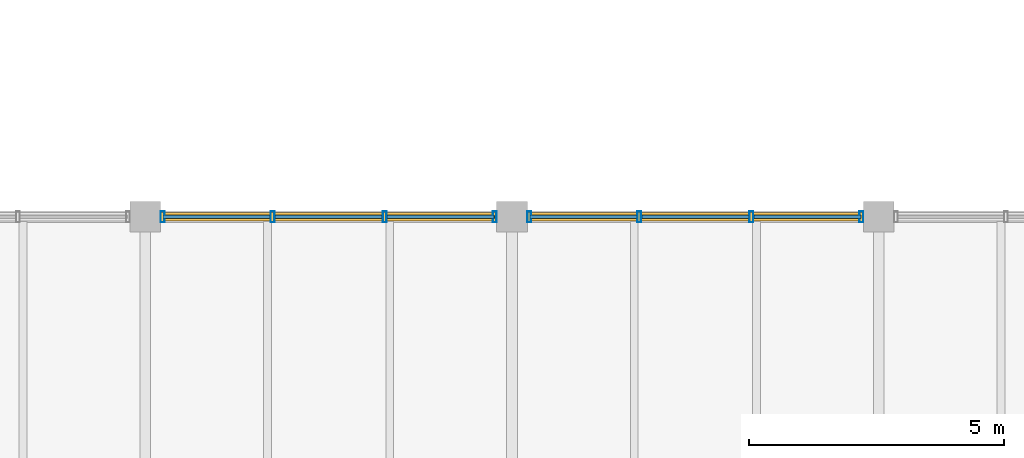
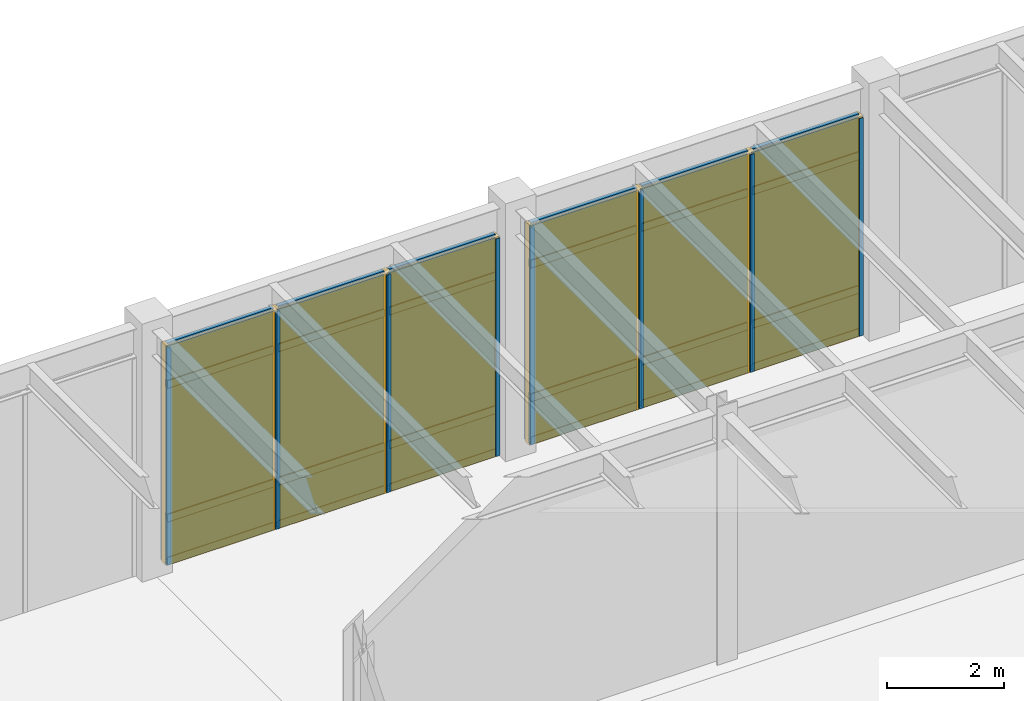
# One storey, part 59 of 97: 32 members, 12 plates, 2 curtain walls.
"""IFC4 building model written with IfcOpenShell, lengths in metres."""

from ifc_helpers import new_model, si_unit, direction, frame, origin, origin_2d, place, context, subcontext, project, spatial, rectangle, hollow_rectangle, extrude, material, layer, layer_set, material_profile, profile_set, type_object, element, aggregate, save


model = new_model("IFC4")

# Units and contexts
model_context = context("Model", 3, precision=1e-05, world=origin(), true_north=direction((0.0, 1.0)))
body_context = subcontext(model_context, "Body", "Model", "MODEL_VIEW")
ifc_project = project(units=[si_unit("LENGTHUNIT", "METRE"), si_unit("AREAUNIT", "SQUARE_METRE"), si_unit("VOLUMEUNIT", "CUBIC_METRE"), si_unit("PLANEANGLEUNIT", "RADIAN"), si_unit("MASSUNIT", "GRAM", prefix="KILO")], contexts=[model_context])

# Member
ifc_material_1 = material(Name="Anodized Aluminium 6063-T6", Category="aluminium")
ifc_material_profile_1 = material_profile(ifc_material_1, hollow_rectangle(XDim=0.074951171875, YDim=0.219970703125, WallThickness=0.0048828125, at=origin_2d()), Name="ALU 75x220x5")
ifc_profile_set_1 = profile_set([ifc_material_profile_1], Name="Anodized Aluminium 6063-T6")
member_type_1 = type_object("IfcMemberType", Name="CWM-75X180", PredefinedType="MULLION", material=ifc_profile_set_1)
site_placement = place(None, origin())
building_placement = place(site_placement, origin())
storey_placement = place(building_placement, origin())
member_1_placement = place(storey_placement, frame((79.5400390625, 57.60009765625, 0.02001953125), z_axis=(0.0, 0.0, 1.0), x_axis=(1.0, 0.0, 0.0)))
member_1 = element("IfcMember", 1, at=member_1_placement, type_object=member_type_1, Name="Curtain wall mullion CW-L01-11-07-N-00", PredefinedType="MULLION", context=body_context, shape_type="SweptSolid", body=[
    extrude(hollow_rectangle(XDim=0.074951171875, YDim=0.219970703125, WallThickness=0.0048828125, at=origin_2d()), origin(), (0.0, 0.0, 1.0), 4.557861328125),
])

member_2_placement = place(storey_placement, frame((81.699951171875, 57.60009765625, 0.02001953125), z_axis=(0.0, 0.0, 1.0), x_axis=(1.0, 0.0, 0.0)))
member_2 = element("IfcMember", 2, at=member_2_placement, type_object=member_type_1, Name="Curtain wall mullion CW-L01-11-07-N-01", PredefinedType="MULLION", context=body_context, shape_type="SweptSolid", body=[
    extrude(hollow_rectangle(XDim=0.074951171875, YDim=0.219970703125, WallThickness=0.0048828125, at=origin_2d()), origin(), (0.0, 0.0, 1.0), 4.557861328125),
])

member_3_placement = place(storey_placement, frame((83.89990234375, 57.60009765625, 0.02001953125), z_axis=(0.0, 0.0, 1.0), x_axis=(1.0, 0.0, 0.0)))
member_3 = element("IfcMember", 3, at=member_3_placement, type_object=member_type_1, Name="Curtain wall mullion CW-L01-11-07-N-02", PredefinedType="MULLION", context=body_context, shape_type="SweptSolid", body=[
    extrude(hollow_rectangle(XDim=0.074951171875, YDim=0.219970703125, WallThickness=0.0048828125, at=origin_2d()), origin(), (0.0, 0.0, 1.0), 4.557861328125),
])

member_4_placement = place(storey_placement, frame((86.06005859375, 57.60009765625, 0.02001953125), z_axis=(0.0, 0.0, 1.0), x_axis=(1.0, 0.0, 0.0)))
member_4 = element("IfcMember", 4, at=member_4_placement, type_object=member_type_1, Name="Curtain wall mullion CW-L01-11-07-N-03", PredefinedType="MULLION", context=body_context, shape_type="SweptSolid", body=[
    extrude(hollow_rectangle(XDim=0.074951171875, YDim=0.219970703125, WallThickness=0.0048828125, at=origin_2d()), origin(), (0.0, 0.0, 1.0), 4.557861328125),
])

member_5_placement = place(storey_placement, frame((86.739990234375, 57.60009765625, 0.02001953125), z_axis=(0.0, 0.0, 1.0), x_axis=(1.0, 0.0, 0.0)))
member_5 = element("IfcMember", 5, at=member_5_placement, type_object=member_type_1, Name="Curtain wall mullion CW-L01-12-07-N-00", PredefinedType="MULLION", context=body_context, shape_type="SweptSolid", body=[
    extrude(hollow_rectangle(XDim=0.074951171875, YDim=0.219970703125, WallThickness=0.0048828125, at=origin_2d()), origin(), (0.0, 0.0, 1.0), 4.557861328125),
])

member_6_placement = place(storey_placement, frame((88.89990234375, 57.60009765625, 0.02001953125), z_axis=(0.0, 0.0, 1.0), x_axis=(1.0, 0.0, 0.0)))
member_6 = element("IfcMember", 6, at=member_6_placement, type_object=member_type_1, Name="Curtain wall mullion CW-L01-12-07-N-01", PredefinedType="MULLION", context=body_context, shape_type="SweptSolid", body=[
    extrude(hollow_rectangle(XDim=0.074951171875, YDim=0.219970703125, WallThickness=0.0048828125, at=origin_2d()), origin(), (0.0, 0.0, 1.0), 4.557861328125),
])

member_7_placement = place(storey_placement, frame((91.10009765625, 57.60009765625, 0.02001953125), z_axis=(0.0, 0.0, 1.0), x_axis=(1.0, 0.0, 0.0)))
member_7 = element("IfcMember", 7, at=member_7_placement, type_object=member_type_1, Name="Curtain wall mullion CW-L01-12-07-N-02", PredefinedType="MULLION", context=body_context, shape_type="SweptSolid", body=[
    extrude(hollow_rectangle(XDim=0.074951171875, YDim=0.219970703125, WallThickness=0.0048828125, at=origin_2d()), origin(), (0.0, 0.0, 1.0), 4.557861328125),
])

member_8_placement = place(storey_placement, frame((93.260009765625, 57.60009765625, 0.02001953125), z_axis=(0.0, 0.0, 1.0), x_axis=(1.0, 0.0, 0.0)))
member_8 = element("IfcMember", 8, at=member_8_placement, type_object=member_type_1, Name="Curtain wall mullion CW-L01-12-07-N-03", PredefinedType="MULLION", context=body_context, shape_type="SweptSolid", body=[
    extrude(hollow_rectangle(XDim=0.074951171875, YDim=0.219970703125, WallThickness=0.0048828125, at=origin_2d()), origin(), (0.0, 0.0, 1.0), 4.557861328125),
])

ifc_material_profile_2 = material_profile(ifc_material_1, hollow_rectangle(XDim=0.074951171875, YDim=0.159912109375, WallThickness=0.00390625, at=origin_2d()), Name="ALU 75x160x4")
ifc_profile_set_2 = profile_set([ifc_material_profile_2], Name="Anodized Aluminium 6063-T6")
member_type_2 = type_object("IfcMemberType", Name="CWT-75X150", PredefinedType="USERDEFINED", material=ifc_profile_set_2)
member_9_placement = place(storey_placement, frame((79.550048828125, 57.60009765625, 0.050048828125), z_axis=(1.0, 0.0, 0.0), x_axis=(0.0, 1.0, 0.0)))
member_9 = element("IfcMember", 9, at=member_9_placement, type_object=member_type_2, Name="Curtain wall transom CW-L01-11-07-N-1.01", ObjectType="TRANSOM", PredefinedType="USERDEFINED", context=body_context, shape_type="SweptSolid", body=[
    extrude(hollow_rectangle(XDim=0.074951171875, YDim=0.159912109375, WallThickness=0.00390625, at=origin_2d()), origin(), (0.0, 0.0, 1.0), 2.099853515625),
])

member_10_placement = place(storey_placement, frame((81.75, 57.60009765625, 0.050048828125), z_axis=(1.0, 0.0, 0.0), x_axis=(0.0, 1.0, 0.0)))
member_10 = element("IfcMember", 10, at=member_10_placement, type_object=member_type_2, Name="Curtain wall transom CW-L01-11-07-N-1.02", ObjectType="TRANSOM", PredefinedType="USERDEFINED", context=body_context, shape_type="SweptSolid", body=[
    extrude(hollow_rectangle(XDim=0.074951171875, YDim=0.159912109375, WallThickness=0.00390625, at=origin_2d()), origin(), (0.0, 0.0, 1.0), 2.10009765625),
])

member_11_placement = place(storey_placement, frame((83.949951171875, 57.60009765625, 0.050048828125), z_axis=(1.0, 0.0, 0.0), x_axis=(0.0, 1.0, 0.0)))
member_11 = element("IfcMember", 11, at=member_11_placement, type_object=member_type_2, Name="Curtain wall transom CW-L01-11-07-N-1.03", ObjectType="TRANSOM", PredefinedType="USERDEFINED", context=body_context, shape_type="SweptSolid", body=[
    extrude(hollow_rectangle(XDim=0.074951171875, YDim=0.159912109375, WallThickness=0.00390625, at=origin_2d()), origin(), (0.0, 0.0, 1.0), 2.10009765625),
])

member_12_placement = place(storey_placement, frame((79.550048828125, 57.60009765625, 0.949951171875), z_axis=(1.0, 0.0, 0.0), x_axis=(0.0, 1.0, 0.0)))
member_12 = element("IfcMember", 12, at=member_12_placement, type_object=member_type_2, Name="Curtain wall transom CW-L01-11-07-N-2.01", ObjectType="TRANSOM", PredefinedType="USERDEFINED", context=body_context, shape_type="SweptSolid", body=[
    extrude(hollow_rectangle(XDim=0.074951171875, YDim=0.159912109375, WallThickness=0.00390625, at=origin_2d()), origin(), (0.0, 0.0, 1.0), 2.099853515625),
])

member_13_placement = place(storey_placement, frame((81.75, 57.60009765625, 0.949951171875), z_axis=(1.0, 0.0, 0.0), x_axis=(0.0, 1.0, 0.0)))
member_13 = element("IfcMember", 13, at=member_13_placement, type_object=member_type_2, Name="Curtain wall transom CW-L01-11-07-N-2.02", ObjectType="TRANSOM", PredefinedType="USERDEFINED", context=body_context, shape_type="SweptSolid", body=[
    extrude(hollow_rectangle(XDim=0.074951171875, YDim=0.159912109375, WallThickness=0.00390625, at=origin_2d()), origin(), (0.0, 0.0, 1.0), 2.10009765625),
])

member_14_placement = place(storey_placement, frame((83.949951171875, 57.60009765625, 0.949951171875), z_axis=(1.0, 0.0, 0.0), x_axis=(0.0, 1.0, 0.0)))
member_14 = element("IfcMember", 14, at=member_14_placement, type_object=member_type_2, Name="Curtain wall transom CW-L01-11-07-N-2.03", ObjectType="TRANSOM", PredefinedType="USERDEFINED", context=body_context, shape_type="SweptSolid", body=[
    extrude(hollow_rectangle(XDim=0.074951171875, YDim=0.159912109375, WallThickness=0.00390625, at=origin_2d()), origin(), (0.0, 0.0, 1.0), 2.10009765625),
])

member_15_placement = place(storey_placement, frame((79.550048828125, 57.60009765625, 3.748046875), z_axis=(1.0, 0.0, 0.0), x_axis=(0.0, 1.0, 0.0)))
member_15 = element("IfcMember", 15, at=member_15_placement, type_object=member_type_2, Name="Curtain wall transom CW-L01-11-07-N-3.01", ObjectType="TRANSOM", PredefinedType="USERDEFINED", context=body_context, shape_type="SweptSolid", body=[
    extrude(hollow_rectangle(XDim=0.074951171875, YDim=0.159912109375, WallThickness=0.00390625, at=origin_2d()), origin(), (0.0, 0.0, 1.0), 2.099853515625),
])

member_16_placement = place(storey_placement, frame((81.75, 57.60009765625, 3.748046875), z_axis=(1.0, 0.0, 0.0), x_axis=(0.0, 1.0, 0.0)))
member_16 = element("IfcMember", 16, at=member_16_placement, type_object=member_type_2, Name="Curtain wall transom CW-L01-11-07-N-3.02", ObjectType="TRANSOM", PredefinedType="USERDEFINED", context=body_context, shape_type="SweptSolid", body=[
    extrude(hollow_rectangle(XDim=0.074951171875, YDim=0.159912109375, WallThickness=0.00390625, at=origin_2d()), origin(), (0.0, 0.0, 1.0), 2.10009765625),
])

member_17_placement = place(storey_placement, frame((83.949951171875, 57.60009765625, 3.748046875), z_axis=(1.0, 0.0, 0.0), x_axis=(0.0, 1.0, 0.0)))
member_17 = element("IfcMember", 17, at=member_17_placement, type_object=member_type_2, Name="Curtain wall transom CW-L01-11-07-N-3.03", ObjectType="TRANSOM", PredefinedType="USERDEFINED", context=body_context, shape_type="SweptSolid", body=[
    extrude(hollow_rectangle(XDim=0.074951171875, YDim=0.159912109375, WallThickness=0.00390625, at=origin_2d()), origin(), (0.0, 0.0, 1.0), 2.10009765625),
])

member_18_placement = place(storey_placement, frame((79.550048828125, 57.60009765625, 4.548095703125), z_axis=(1.0, 0.0, 0.0), x_axis=(0.0, 1.0, 0.0)))
member_18 = element("IfcMember", 18, at=member_18_placement, type_object=member_type_2, Name="Curtain wall transom CW-L01-11-07-N-4.01", ObjectType="TRANSOM", PredefinedType="USERDEFINED", context=body_context, shape_type="SweptSolid", body=[
    extrude(hollow_rectangle(XDim=0.074951171875, YDim=0.159912109375, WallThickness=0.00390625, at=origin_2d()), origin(), (0.0, 0.0, 1.0), 2.099853515625),
])

member_19_placement = place(storey_placement, frame((81.75, 57.60009765625, 4.548095703125), z_axis=(1.0, 0.0, 0.0), x_axis=(0.0, 1.0, 0.0)))
member_19 = element("IfcMember", 19, at=member_19_placement, type_object=member_type_2, Name="Curtain wall transom CW-L01-11-07-N-4.02", ObjectType="TRANSOM", PredefinedType="USERDEFINED", context=body_context, shape_type="SweptSolid", body=[
    extrude(hollow_rectangle(XDim=0.074951171875, YDim=0.159912109375, WallThickness=0.00390625, at=origin_2d()), origin(), (0.0, 0.0, 1.0), 2.10009765625),
])

member_20_placement = place(storey_placement, frame((83.949951171875, 57.60009765625, 4.548095703125), z_axis=(1.0, 0.0, 0.0), x_axis=(0.0, 1.0, 0.0)))
member_20 = element("IfcMember", 20, at=member_20_placement, type_object=member_type_2, Name="Curtain wall transom CW-L01-11-07-N-4.03", ObjectType="TRANSOM", PredefinedType="USERDEFINED", context=body_context, shape_type="SweptSolid", body=[
    extrude(hollow_rectangle(XDim=0.074951171875, YDim=0.159912109375, WallThickness=0.00390625, at=origin_2d()), origin(), (0.0, 0.0, 1.0), 2.10009765625),
])

member_21_placement = place(storey_placement, frame((86.75, 57.60009765625, 0.050048828125), z_axis=(1.0, 0.0, 0.0), x_axis=(0.0, 1.0, 0.0)))
member_21 = element("IfcMember", 21, at=member_21_placement, type_object=member_type_2, Name="Curtain wall transom CW-L01-12-07-N-1.01", ObjectType="TRANSOM", PredefinedType="USERDEFINED", context=body_context, shape_type="SweptSolid", body=[
    extrude(hollow_rectangle(XDim=0.074951171875, YDim=0.159912109375, WallThickness=0.00390625, at=origin_2d()), origin(), (0.0, 0.0, 1.0), 2.10009765625),
])

member_22_placement = place(storey_placement, frame((88.949951171875, 57.60009765625, 0.050048828125), z_axis=(1.0, 0.0, 0.0), x_axis=(0.0, 1.0, 0.0)))
member_22 = element("IfcMember", 22, at=member_22_placement, type_object=member_type_2, Name="Curtain wall transom CW-L01-12-07-N-1.02", ObjectType="TRANSOM", PredefinedType="USERDEFINED", context=body_context, shape_type="SweptSolid", body=[
    extrude(hollow_rectangle(XDim=0.074951171875, YDim=0.159912109375, WallThickness=0.00390625, at=origin_2d()), origin(), (0.0, 0.0, 1.0), 2.10009765625),
])

member_23_placement = place(storey_placement, frame((91.14990234375, 57.60009765625, 0.050048828125), z_axis=(1.0, 0.0, 0.0), x_axis=(0.0, 1.0, 0.0)))
member_23 = element("IfcMember", 23, at=member_23_placement, type_object=member_type_2, Name="Curtain wall transom CW-L01-12-07-N-1.03", ObjectType="TRANSOM", PredefinedType="USERDEFINED", context=body_context, shape_type="SweptSolid", body=[
    extrude(hollow_rectangle(XDim=0.074951171875, YDim=0.159912109375, WallThickness=0.00390625, at=origin_2d()), origin(), (0.0, 0.0, 1.0), 2.10009765625),
])

member_24_placement = place(storey_placement, frame((86.75, 57.60009765625, 0.949951171875), z_axis=(1.0, 0.0, 0.0), x_axis=(0.0, 1.0, 0.0)))
member_24 = element("IfcMember", 24, at=member_24_placement, type_object=member_type_2, Name="Curtain wall transom CW-L01-12-07-N-2.01", ObjectType="TRANSOM", PredefinedType="USERDEFINED", context=body_context, shape_type="SweptSolid", body=[
    extrude(hollow_rectangle(XDim=0.074951171875, YDim=0.159912109375, WallThickness=0.00390625, at=origin_2d()), origin(), (0.0, 0.0, 1.0), 2.10009765625),
])

member_25_placement = place(storey_placement, frame((88.949951171875, 57.60009765625, 0.949951171875), z_axis=(1.0, 0.0, 0.0), x_axis=(0.0, 1.0, 0.0)))
member_25 = element("IfcMember", 25, at=member_25_placement, type_object=member_type_2, Name="Curtain wall transom CW-L01-12-07-N-2.02", ObjectType="TRANSOM", PredefinedType="USERDEFINED", context=body_context, shape_type="SweptSolid", body=[
    extrude(hollow_rectangle(XDim=0.074951171875, YDim=0.159912109375, WallThickness=0.00390625, at=origin_2d()), origin(), (0.0, 0.0, 1.0), 2.10009765625),
])

member_26_placement = place(storey_placement, frame((91.14990234375, 57.60009765625, 0.949951171875), z_axis=(1.0, 0.0, 0.0), x_axis=(0.0, 1.0, 0.0)))
member_26 = element("IfcMember", 26, at=member_26_placement, type_object=member_type_2, Name="Curtain wall transom CW-L01-12-07-N-2.03", ObjectType="TRANSOM", PredefinedType="USERDEFINED", context=body_context, shape_type="SweptSolid", body=[
    extrude(hollow_rectangle(XDim=0.074951171875, YDim=0.159912109375, WallThickness=0.00390625, at=origin_2d()), origin(), (0.0, 0.0, 1.0), 2.10009765625),
])

member_27_placement = place(storey_placement, frame((86.75, 57.60009765625, 3.748046875), z_axis=(1.0, 0.0, 0.0), x_axis=(0.0, 1.0, 0.0)))
member_27 = element("IfcMember", 27, at=member_27_placement, type_object=member_type_2, Name="Curtain wall transom CW-L01-12-07-N-3.01", ObjectType="TRANSOM", PredefinedType="USERDEFINED", context=body_context, shape_type="SweptSolid", body=[
    extrude(hollow_rectangle(XDim=0.074951171875, YDim=0.159912109375, WallThickness=0.00390625, at=origin_2d()), origin(), (0.0, 0.0, 1.0), 2.10009765625),
])

member_28_placement = place(storey_placement, frame((88.949951171875, 57.60009765625, 3.748046875), z_axis=(1.0, 0.0, 0.0), x_axis=(0.0, 1.0, 0.0)))
member_28 = element("IfcMember", 28, at=member_28_placement, type_object=member_type_2, Name="Curtain wall transom CW-L01-12-07-N-3.02", ObjectType="TRANSOM", PredefinedType="USERDEFINED", context=body_context, shape_type="SweptSolid", body=[
    extrude(hollow_rectangle(XDim=0.074951171875, YDim=0.159912109375, WallThickness=0.00390625, at=origin_2d()), origin(), (0.0, 0.0, 1.0), 2.10009765625),
])

member_29_placement = place(storey_placement, frame((91.14990234375, 57.60009765625, 3.748046875), z_axis=(1.0, 0.0, 0.0), x_axis=(0.0, 1.0, 0.0)))
member_29 = element("IfcMember", 29, at=member_29_placement, type_object=member_type_2, Name="Curtain wall transom CW-L01-12-07-N-3.03", ObjectType="TRANSOM", PredefinedType="USERDEFINED", context=body_context, shape_type="SweptSolid", body=[
    extrude(hollow_rectangle(XDim=0.074951171875, YDim=0.159912109375, WallThickness=0.00390625, at=origin_2d()), origin(), (0.0, 0.0, 1.0), 2.10009765625),
])

member_30_placement = place(storey_placement, frame((86.75, 57.60009765625, 4.548095703125), z_axis=(1.0, 0.0, 0.0), x_axis=(0.0, 1.0, 0.0)))
member_30 = element("IfcMember", 30, at=member_30_placement, type_object=member_type_2, Name="Curtain wall transom CW-L01-12-07-N-4.01", ObjectType="TRANSOM", PredefinedType="USERDEFINED", context=body_context, shape_type="SweptSolid", body=[
    extrude(hollow_rectangle(XDim=0.074951171875, YDim=0.159912109375, WallThickness=0.00390625, at=origin_2d()), origin(), (0.0, 0.0, 1.0), 2.10009765625),
])

member_31_placement = place(storey_placement, frame((88.949951171875, 57.60009765625, 4.548095703125), z_axis=(1.0, 0.0, 0.0), x_axis=(0.0, 1.0, 0.0)))
member_31 = element("IfcMember", 31, at=member_31_placement, type_object=member_type_2, Name="Curtain wall transom CW-L01-12-07-N-4.02", ObjectType="TRANSOM", PredefinedType="USERDEFINED", context=body_context, shape_type="SweptSolid", body=[
    extrude(hollow_rectangle(XDim=0.074951171875, YDim=0.159912109375, WallThickness=0.00390625, at=origin_2d()), origin(), (0.0, 0.0, 1.0), 2.10009765625),
])

member_32_placement = place(storey_placement, frame((91.14990234375, 57.60009765625, 4.548095703125), z_axis=(1.0, 0.0, 0.0), x_axis=(0.0, 1.0, 0.0)))
member_32 = element("IfcMember", 32, at=member_32_placement, type_object=member_type_2, Name="Curtain wall transom CW-L01-12-07-N-4.03", ObjectType="TRANSOM", PredefinedType="USERDEFINED", context=body_context, shape_type="SweptSolid", body=[
    extrude(hollow_rectangle(XDim=0.074951171875, YDim=0.159912109375, WallThickness=0.00390625, at=origin_2d()), origin(), (0.0, 0.0, 1.0), 2.10009765625),
])

# Plate
ifc_material_2 = material(Name="Acoustic Laminated Low-E Glazing", Category="glass")
ifc_layer_1 = layer(ifc_material_2, 0.0439453125)
ifc_layer_set_1 = layer_set([ifc_layer_1], Name="Acoustic Laminated Low-E Glazing")
plate_type_1 = type_object("IfcPlateType", Name="CWP-IGU-44", PredefinedType="CURTAIN_PANEL", material=ifc_layer_set_1)
plate_1_placement = place(storey_placement, frame((80.60009765625, 57.60009765625, 0.98974609375), z_axis=(0.0, 0.0, 1.0), x_axis=(1.0, 0.0, 0.0)))
plate_1 = element("IfcPlate", 33, at=plate_1_placement, type_object=plate_type_1, Name="Curtain wall vision glazing CW-L01-11-07-N-01", PredefinedType="CURTAIN_PANEL", context=body_context, shape_type="SweptSolid", body=[
    extrude(rectangle(XDim=2.110107421875, YDim=0.0400390625, at=origin_2d()), origin(), (0.0, 0.0, 1.0), 3.548095703125),
])

plate_2_placement = place(storey_placement, frame((82.800048828125, 57.60009765625, 0.98974609375), z_axis=(0.0, 0.0, 1.0), x_axis=(1.0, 0.0, 0.0)))
plate_2 = element("IfcPlate", 34, at=plate_2_placement, type_object=plate_type_1, Name="Curtain wall vision glazing CW-L01-11-07-N-02", PredefinedType="CURTAIN_PANEL", context=body_context, shape_type="SweptSolid", body=[
    extrude(rectangle(XDim=2.110107421875, YDim=0.0400390625, at=origin_2d()), origin(), (0.0, 0.0, 1.0), 3.548095703125),
])

plate_3_placement = place(storey_placement, frame((85.0, 57.60009765625, 0.98974609375), z_axis=(0.0, 0.0, 1.0), x_axis=(1.0, 0.0, 0.0)))
plate_3 = element("IfcPlate", 35, at=plate_3_placement, type_object=plate_type_1, Name="Curtain wall vision glazing CW-L01-11-07-N-03", PredefinedType="CURTAIN_PANEL", context=body_context, shape_type="SweptSolid", body=[
    extrude(rectangle(XDim=2.110107421875, YDim=0.0400390625, at=origin_2d()), origin(), (0.0, 0.0, 1.0), 3.548095703125),
])

plate_4_placement = place(storey_placement, frame((87.800048828125, 57.60009765625, 0.98974609375), z_axis=(0.0, 0.0, 1.0), x_axis=(1.0, 0.0, 0.0)))
plate_4 = element("IfcPlate", 36, at=plate_4_placement, type_object=plate_type_1, Name="Curtain wall vision glazing CW-L01-12-07-N-01", PredefinedType="CURTAIN_PANEL", context=body_context, shape_type="SweptSolid", body=[
    extrude(rectangle(XDim=2.110107421875, YDim=0.0400390625, at=origin_2d()), origin(), (0.0, 0.0, 1.0), 3.548095703125),
])

plate_5_placement = place(storey_placement, frame((90.0, 57.60009765625, 0.98974609375), z_axis=(0.0, 0.0, 1.0), x_axis=(1.0, 0.0, 0.0)))
plate_5 = element("IfcPlate", 37, at=plate_5_placement, type_object=plate_type_1, Name="Curtain wall vision glazing CW-L01-12-07-N-02", PredefinedType="CURTAIN_PANEL", context=body_context, shape_type="SweptSolid", body=[
    extrude(rectangle(XDim=2.110107421875, YDim=0.0400390625, at=origin_2d()), origin(), (0.0, 0.0, 1.0), 3.548095703125),
])

plate_6_placement = place(storey_placement, frame((92.199951171875, 57.60009765625, 0.98974609375), z_axis=(0.0, 0.0, 1.0), x_axis=(1.0, 0.0, 0.0)))
plate_6 = element("IfcPlate", 38, at=plate_6_placement, type_object=plate_type_1, Name="Curtain wall vision glazing CW-L01-12-07-N-03", PredefinedType="CURTAIN_PANEL", context=body_context, shape_type="SweptSolid", body=[
    extrude(rectangle(XDim=2.110107421875, YDim=0.0400390625, at=origin_2d()), origin(), (0.0, 0.0, 1.0), 3.548095703125),
])

ifc_material_3 = material(Name="Insulated Stone-Composite Spandrel", Category="masonry")
ifc_layer_2 = layer(ifc_material_3, 0.068115234375)
ifc_layer_set_2 = layer_set([ifc_layer_2], Name="Insulated Stone-Composite Spandrel")
plate_type_2 = type_object("IfcPlateType", Name="CWP-SPN-68", PredefinedType="CURTAIN_PANEL", material=ifc_layer_set_2)
plate_7_placement = place(storey_placement, frame((80.60009765625, 57.60009765625, 0.080078125), z_axis=(0.0, 0.0, 1.0), x_axis=(1.0, 0.0, 0.0)))
plate_7 = element("IfcPlate", 39, at=plate_7_placement, type_object=plate_type_2, Name="Curtain wall spandrel panel CW-L01-11-07-N-01", PredefinedType="CURTAIN_PANEL", context=body_context, shape_type="SweptSolid", body=[
    extrude(rectangle(XDim=2.110107421875, YDim=0.06005859375, at=origin_2d()), origin(), (0.0, 0.0, 1.0), 0.840087890625),
])

plate_8_placement = place(storey_placement, frame((82.800048828125, 57.60009765625, 0.080078125), z_axis=(0.0, 0.0, 1.0), x_axis=(1.0, 0.0, 0.0)))
plate_8 = element("IfcPlate", 40, at=plate_8_placement, type_object=plate_type_2, Name="Curtain wall spandrel panel CW-L01-11-07-N-02", PredefinedType="CURTAIN_PANEL", context=body_context, shape_type="SweptSolid", body=[
    extrude(rectangle(XDim=2.110107421875, YDim=0.06005859375, at=origin_2d()), origin(), (0.0, 0.0, 1.0), 0.840087890625),
])

plate_9_placement = place(storey_placement, frame((85.0, 57.60009765625, 0.080078125), z_axis=(0.0, 0.0, 1.0), x_axis=(1.0, 0.0, 0.0)))
plate_9 = element("IfcPlate", 41, at=plate_9_placement, type_object=plate_type_2, Name="Curtain wall spandrel panel CW-L01-11-07-N-03", PredefinedType="CURTAIN_PANEL", context=body_context, shape_type="SweptSolid", body=[
    extrude(rectangle(XDim=2.110107421875, YDim=0.06005859375, at=origin_2d()), origin(), (0.0, 0.0, 1.0), 0.840087890625),
])

plate_10_placement = place(storey_placement, frame((87.800048828125, 57.60009765625, 0.080078125), z_axis=(0.0, 0.0, 1.0), x_axis=(1.0, 0.0, 0.0)))
plate_10 = element("IfcPlate", 42, at=plate_10_placement, type_object=plate_type_2, Name="Curtain wall spandrel panel CW-L01-12-07-N-01", PredefinedType="CURTAIN_PANEL", context=body_context, shape_type="SweptSolid", body=[
    extrude(rectangle(XDim=2.110107421875, YDim=0.06005859375, at=origin_2d()), origin(), (0.0, 0.0, 1.0), 0.840087890625),
])

plate_11_placement = place(storey_placement, frame((90.0, 57.60009765625, 0.080078125), z_axis=(0.0, 0.0, 1.0), x_axis=(1.0, 0.0, 0.0)))
plate_11 = element("IfcPlate", 43, at=plate_11_placement, type_object=plate_type_2, Name="Curtain wall spandrel panel CW-L01-12-07-N-02", PredefinedType="CURTAIN_PANEL", context=body_context, shape_type="SweptSolid", body=[
    extrude(rectangle(XDim=2.110107421875, YDim=0.06005859375, at=origin_2d()), origin(), (0.0, 0.0, 1.0), 0.840087890625),
])

plate_12_placement = place(storey_placement, frame((92.199951171875, 57.60009765625, 0.080078125), z_axis=(0.0, 0.0, 1.0), x_axis=(1.0, 0.0, 0.0)))
plate_12 = element("IfcPlate", 44, at=plate_12_placement, type_object=plate_type_2, Name="Curtain wall spandrel panel CW-L01-12-07-N-03", PredefinedType="CURTAIN_PANEL", context=body_context, shape_type="SweptSolid", body=[
    extrude(rectangle(XDim=2.110107421875, YDim=0.06005859375, at=origin_2d()), origin(), (0.0, 0.0, 1.0), 0.840087890625),
])

# Site, building, storey
site = spatial("IfcSite", under=ifc_project, at=site_placement, CompositionType="ELEMENT")
building = spatial("IfcBuilding", under=site, at=building_placement, Name="Sillqori Civic Hall", CompositionType="ELEMENT")
storey = spatial("IfcBuildingStorey", under=building, at=storey_placement, Name="L01", CompositionType="ELEMENT", Elevation=0.0)

# Curtain wall
ifc_material_4 = material(Name="Anodized Aluminium Curtain Wall System", Category="aluminium")
curtain_wall_type = type_object("IfcCurtainWallType", Name="CW-SF-480", PredefinedType="NOTDEFINED", material=ifc_material_4)
curtain_wall_1_placement = place(storey_placement, frame((82.800048828125, 57.60009765625, 0.0), z_axis=(0.0, 0.0, 1.0), x_axis=(1.0, 0.0, 0.0)))
curtain_wall_1 = element("IfcCurtainWall", 45, at=curtain_wall_1_placement, inside=storey, type_object=curtain_wall_type, Name="L01 unitised curtain wall CW-L01-11-07-N", PredefinedType="NOTDEFINED", context=body_context, shape_type="SweptSolid", body=[
    extrude(rectangle(XDim=6.60009765625, YDim=0.159912109375, at=origin_2d()), origin(), (0.0, 0.0, 1.0), 4.597900390625),
])

aggregate(curtain_wall_1, [member_1, member_2, member_3, member_4, member_9, member_10, member_11, member_12, member_13, member_14, member_15, member_16, member_17, member_18, member_19, member_20, plate_7, plate_1, plate_8, plate_2, plate_9, plate_3])

curtain_wall_2_placement = place(storey_placement, frame((90.0, 57.60009765625, 0.0), z_axis=(0.0, 0.0, 1.0), x_axis=(1.0, 0.0, 0.0)))
curtain_wall_2 = element("IfcCurtainWall", 46, at=curtain_wall_2_placement, inside=storey, type_object=curtain_wall_type, Name="L01 unitised curtain wall CW-L01-12-07-N", PredefinedType="NOTDEFINED", context=body_context, shape_type="SweptSolid", body=[
    extrude(rectangle(XDim=6.60009765625, YDim=0.159912109375, at=origin_2d()), origin(), (0.0, 0.0, 1.0), 4.597900390625),
])

aggregate(curtain_wall_2, [member_5, member_6, member_7, member_8, member_21, member_22, member_23, member_24, member_25, member_26, member_27, member_28, member_29, member_30, member_31, member_32, plate_10, plate_4, plate_11, plate_5, plate_12, plate_6])

save(model, "model.ifc")
